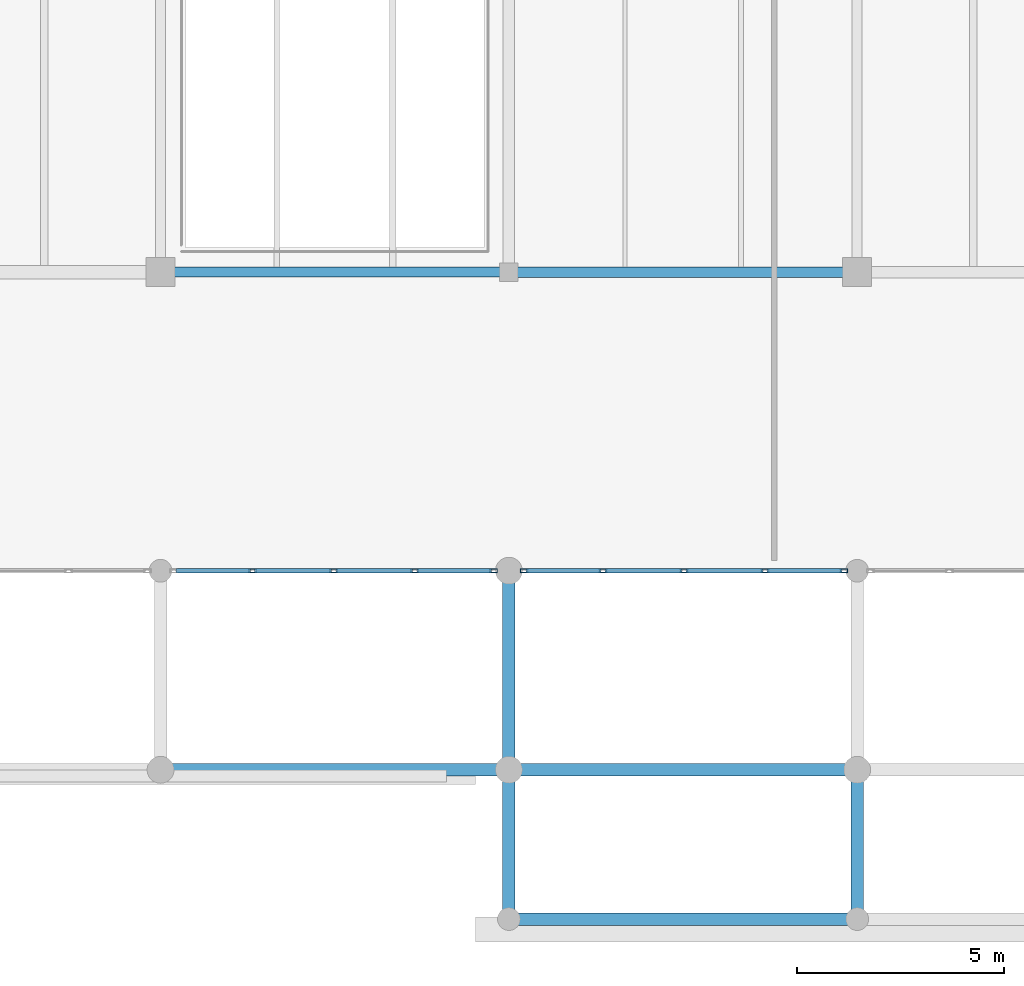
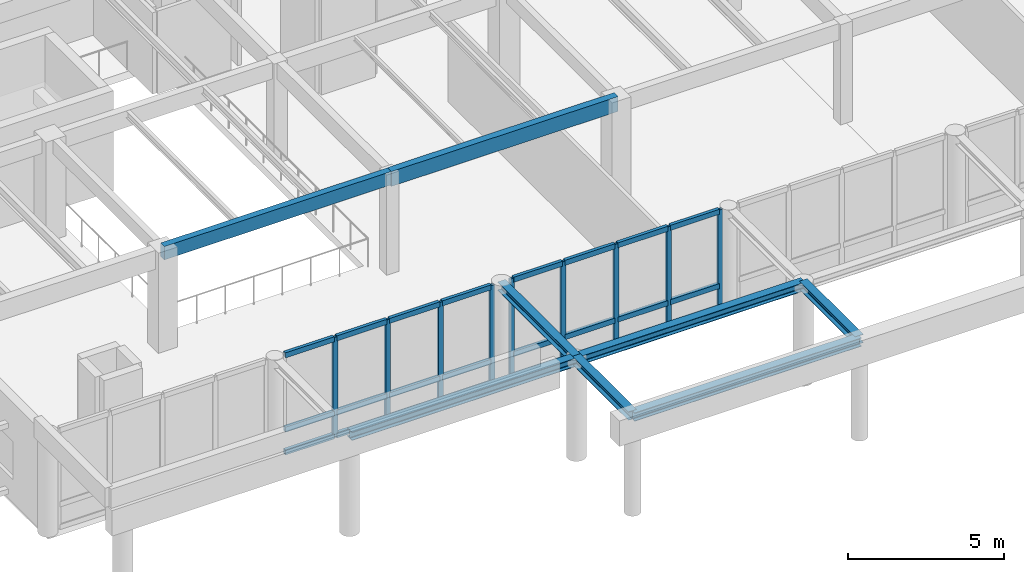
# One storey, part 43 of 170: 33 members, 8 beams, 2 elements without a shape of their own.
"""IFC4 building model written with IfcOpenShell, lengths in metres."""

from ifc_helpers import new_model, si_unit, direction, frame, origin, origin_2d, place, context, subcontext, project, spatial, rectangle, hollow_rectangle, i_section, extrude, material, layer, layer_set, material_profile, profile_set, type_object, element, aggregate, save


model = new_model("IFC4")

# Units and contexts
model_context = context("Model", 3, precision=1e-05, world=origin(), true_north=direction((0.0, 1.0)))
body_context = subcontext(model_context, "Body", "Model", "MODEL_VIEW")
ifc_project = project(units=[si_unit("LENGTHUNIT", "METRE"), si_unit("AREAUNIT", "SQUARE_METRE"), si_unit("VOLUMEUNIT", "CUBIC_METRE"), si_unit("PLANEANGLEUNIT", "RADIAN"), si_unit("MASSUNIT", "GRAM", prefix="KILO")], contexts=[model_context])

# Site, building, storey
site_placement = place(None, origin())
site = spatial("IfcSite", under=ifc_project, at=site_placement, CompositionType="ELEMENT")
building_placement = place(site_placement, origin())
building = spatial("IfcBuilding", under=site, at=building_placement, Name="Mazaris Harbour Polytechnic", CompositionType="ELEMENT")
storey_placement = place(building_placement, frame((0.0, 0.0, 5.39990234375)))
storey = spatial("IfcBuildingStorey", under=building, at=storey_placement, Name="L01", CompositionType="ELEMENT", Elevation=5.39990234375)

# Curtain wall, members
ifc_material_1 = material(Name="Anodised Bronze Aluminium and Low-E Glass", Category="aluminium")
ifc_layer = layer(ifc_material_1, 0.179931640625, Name="Anodised Bronze Aluminium and Low-E Glass")
ifc_layer_set = layer_set([ifc_layer], Name="Anodised Bronze Aluminium and Low-E Glass")
curtain_wall_type = type_object("IfcCurtainWallType", Name="Harbour Colonnade Curtain Wall", PredefinedType="NOTDEFINED", material=ifc_layer_set)
curtain_wall_1_placement = place(storey_placement, origin())
curtain_wall_1 = element("IfcCurtainWall", 1, at=curtain_wall_1_placement, inside=storey, type_object=curtain_wall_type, Name="V3 L01 Curtain Wall 69", PredefinedType="NOTDEFINED")
ifc_material_2 = material(Name="Anodised Bronze Steel S355", Category="steel")
ifc_material_profile_1 = material_profile(ifc_material_2, hollow_rectangle(XDim=0.10009765625, YDim=0.179931640625, WallThickness=0.008056640625, at=origin_2d()), Name="RHS 100x180x8.0")
ifc_profile_set_1 = profile_set([ifc_material_profile_1], Name="Anodised Bronze Steel S355")
member_type_1 = type_object("IfcMemberType", Name="Curtain Mullion RHS100x180", PredefinedType="MULLION", material=ifc_profile_set_1)
member_1_placement = place(storey_placement, frame((70.43310546875, 7.199951171875, 0.0), z_axis=(0.0, 0.0, 1.0), x_axis=(0.0, -1.0, 0.0)))
member_1 = element("IfcMember", 2, at=member_1_placement, type_object=member_type_1, Name="CW-01 mullion 1", PredefinedType="MULLION", context=body_context, shape_type="SweptSolid", body=[
    extrude(hollow_rectangle(XDim=0.10009765625, YDim=0.179931640625, WallThickness=0.008056640625, at=origin_2d()), origin(), (0.0, 0.0, 1.0), 3.920166015625),
])
member_2_placement = place(storey_placement, frame((68.529052734375, 7.199951171875, 0.0), z_axis=(0.0, 0.0, 1.0), x_axis=(0.0, -1.0, 0.0)))
member_2 = element("IfcMember", 3, at=member_2_placement, type_object=member_type_1, Name="CW-01 mullion 2", PredefinedType="MULLION", context=body_context, shape_type="SweptSolid", body=[
    extrude(hollow_rectangle(XDim=0.10009765625, YDim=0.179931640625, WallThickness=0.008056640625, at=origin_2d()), origin(), (0.0, 0.0, 1.0), 3.920166015625),
])
member_3_placement = place(storey_placement, frame((66.574951171875, 7.199951171875, 0.0), z_axis=(0.0, 0.0, 1.0), x_axis=(0.0, -1.0, 0.0)))
member_3 = element("IfcMember", 4, at=member_3_placement, type_object=member_type_1, Name="CW-01 mullion 3", PredefinedType="MULLION", context=body_context, shape_type="SweptSolid", body=[
    extrude(hollow_rectangle(XDim=0.10009765625, YDim=0.179931640625, WallThickness=0.008056640625, at=origin_2d()), origin(), (0.0, 0.0, 1.0), 3.920166015625),
])
member_4_placement = place(storey_placement, frame((64.62109375, 7.199951171875, 0.0), z_axis=(0.0, 0.0, 1.0), x_axis=(0.0, -1.0, 0.0)))
member_4 = element("IfcMember", 5, at=member_4_placement, type_object=member_type_1, Name="CW-01 mullion 4", PredefinedType="MULLION", context=body_context, shape_type="SweptSolid", body=[
    extrude(hollow_rectangle(XDim=0.10009765625, YDim=0.179931640625, WallThickness=0.008056640625, at=origin_2d()), origin(), (0.0, 0.0, 1.0), 3.920166015625),
])

curtain_wall_2_placement = place(storey_placement, origin())
curtain_wall_2 = element("IfcCurtainWall", 6, at=curtain_wall_2_placement, inside=storey, type_object=curtain_wall_type, Name="V3 L01 Curtain Wall 70", PredefinedType="NOTDEFINED")
member_5_placement = place(storey_placement, frame((78.883056640625, 7.199951171875, 0.0), z_axis=(0.0, 0.0, 1.0), x_axis=(0.0, -1.0, 0.0)))
member_5 = element("IfcMember", 7, at=member_5_placement, type_object=member_type_1, Name="CW-01 mullion 1", PredefinedType="MULLION", context=body_context, shape_type="SweptSolid", body=[
    extrude(hollow_rectangle(XDim=0.10009765625, YDim=0.179931640625, WallThickness=0.008056640625, at=origin_2d()), origin(), (0.0, 0.0, 1.0), 3.920166015625),
])
member_6_placement = place(storey_placement, frame((76.97900390625, 7.199951171875, 0.0), z_axis=(0.0, 0.0, 1.0), x_axis=(0.0, -1.0, 0.0)))
member_6 = element("IfcMember", 8, at=member_6_placement, type_object=member_type_1, Name="CW-01 mullion 2", PredefinedType="MULLION", context=body_context, shape_type="SweptSolid", body=[
    extrude(hollow_rectangle(XDim=0.10009765625, YDim=0.179931640625, WallThickness=0.008056640625, at=origin_2d()), origin(), (0.0, 0.0, 1.0), 3.920166015625),
])
member_7_placement = place(storey_placement, frame((75.02490234375, 7.199951171875, 0.0), z_axis=(0.0, 0.0, 1.0), x_axis=(0.0, -1.0, 0.0)))
member_7 = element("IfcMember", 9, at=member_7_placement, type_object=member_type_1, Name="CW-01 mullion 3", PredefinedType="MULLION", context=body_context, shape_type="SweptSolid", body=[
    extrude(hollow_rectangle(XDim=0.10009765625, YDim=0.179931640625, WallThickness=0.008056640625, at=origin_2d()), origin(), (0.0, 0.0, 1.0), 3.920166015625),
])
member_8_placement = place(storey_placement, frame((73.071044921875, 7.199951171875, 0.0), z_axis=(0.0, 0.0, 1.0), x_axis=(0.0, -1.0, 0.0)))
member_8 = element("IfcMember", 10, at=member_8_placement, type_object=member_type_1, Name="CW-01 mullion 4", PredefinedType="MULLION", context=body_context, shape_type="SweptSolid", body=[
    extrude(hollow_rectangle(XDim=0.10009765625, YDim=0.179931640625, WallThickness=0.008056640625, at=origin_2d()), origin(), (0.0, 0.0, 1.0), 3.920166015625),
])
member_9_placement = place(storey_placement, frame((71.1669921875, 7.199951171875, 0.0), z_axis=(0.0, 0.0, 1.0), x_axis=(0.0, -1.0, 0.0)))
member_9 = element("IfcMember", 11, at=member_9_placement, type_object=member_type_1, Name="CW-01 mullion 5", PredefinedType="MULLION", context=body_context, shape_type="SweptSolid", body=[
    extrude(hollow_rectangle(XDim=0.10009765625, YDim=0.179931640625, WallThickness=0.008056640625, at=origin_2d()), origin(), (0.0, 0.0, 1.0), 3.920166015625),
])

# Member
ifc_material_3 = material(Name="Anodised Bronze Steel S355", Category="steel")
ifc_material_profile_2 = material_profile(ifc_material_3, hollow_rectangle(XDim=0.1201171875, YDim=0.199951171875, WallThickness=0.008056640625, at=origin_2d()), Name="RHS 120x200x8.0")
ifc_profile_set_2 = profile_set([ifc_material_profile_2], Name="Anodised Bronze Steel S355")
member_type_2 = type_object("IfcMemberType", Name="Curtain Transom RHS120x200", PredefinedType="USERDEFINED", material=ifc_profile_set_2)
member_10_placement = place(storey_placement, frame((70.383056640625, 7.199951171875, 0.06005859375), z_axis=(-1.0, 0.0, 0.0), x_axis=(0.0, -1.0, 0.0)))
member_10 = element("IfcMember", 12, at=member_10_placement, type_object=member_type_2, Name="CW-01 transom 1.1", ObjectType="TRANSOM", PredefinedType="USERDEFINED", context=body_context, shape_type="SweptSolid", body=[
    extrude(hollow_rectangle(XDim=0.1201171875, YDim=0.199951171875, WallThickness=0.008056640625, at=origin_2d()), origin(), (0.0, 0.0, 1.0), 1.803955078125),
])

member_11_placement = place(storey_placement, frame((70.383056640625, 7.199951171875, 0.9501953125), z_axis=(-1.0, 0.0, 0.0), x_axis=(0.0, -1.0, 0.0)))
member_11 = element("IfcMember", 13, at=member_11_placement, type_object=member_type_2, Name="CW-01 transom 1.2", ObjectType="TRANSOM", PredefinedType="USERDEFINED", context=body_context, shape_type="SweptSolid", body=[
    extrude(hollow_rectangle(XDim=0.1201171875, YDim=0.199951171875, WallThickness=0.008056640625, at=origin_2d()), origin(), (0.0, 0.0, 1.0), 1.803955078125),
])

member_12_placement = place(storey_placement, frame((70.383056640625, 7.199951171875, 3.860107421875), z_axis=(-1.0, 0.0, 0.0), x_axis=(0.0, -1.0, 0.0)))
member_12 = element("IfcMember", 14, at=member_12_placement, type_object=member_type_2, Name="CW-01 transom 1.3", ObjectType="TRANSOM", PredefinedType="USERDEFINED", context=body_context, shape_type="SweptSolid", body=[
    extrude(hollow_rectangle(XDim=0.1201171875, YDim=0.199951171875, WallThickness=0.008056640625, at=origin_2d()), origin(), (0.0, 0.0, 1.0), 1.803955078125),
])

member_13_placement = place(storey_placement, frame((68.47900390625, 7.199951171875, 0.06005859375), z_axis=(-1.0, 0.0, 0.0), x_axis=(0.0, -1.0, 0.0)))
member_13 = element("IfcMember", 15, at=member_13_placement, type_object=member_type_2, Name="CW-01 transom 2.1", ObjectType="TRANSOM", PredefinedType="USERDEFINED", context=body_context, shape_type="SweptSolid", body=[
    extrude(hollow_rectangle(XDim=0.1201171875, YDim=0.199951171875, WallThickness=0.008056640625, at=origin_2d()), origin(), (0.0, 0.0, 1.0), 1.85400390625),
])

member_14_placement = place(storey_placement, frame((68.47900390625, 7.199951171875, 0.9501953125), z_axis=(-1.0, 0.0, 0.0), x_axis=(0.0, -1.0, 0.0)))
member_14 = element("IfcMember", 16, at=member_14_placement, type_object=member_type_2, Name="CW-01 transom 2.2", ObjectType="TRANSOM", PredefinedType="USERDEFINED", context=body_context, shape_type="SweptSolid", body=[
    extrude(hollow_rectangle(XDim=0.1201171875, YDim=0.199951171875, WallThickness=0.008056640625, at=origin_2d()), origin(), (0.0, 0.0, 1.0), 1.85400390625),
])

member_15_placement = place(storey_placement, frame((68.47900390625, 7.199951171875, 3.860107421875), z_axis=(-1.0, 0.0, 0.0), x_axis=(0.0, -1.0, 0.0)))
member_15 = element("IfcMember", 17, at=member_15_placement, type_object=member_type_2, Name="CW-01 transom 2.3", ObjectType="TRANSOM", PredefinedType="USERDEFINED", context=body_context, shape_type="SweptSolid", body=[
    extrude(hollow_rectangle(XDim=0.1201171875, YDim=0.199951171875, WallThickness=0.008056640625, at=origin_2d()), origin(), (0.0, 0.0, 1.0), 1.85400390625),
])

member_16_placement = place(storey_placement, frame((66.52490234375, 7.199951171875, 0.06005859375), z_axis=(-1.0, 0.0, 0.0), x_axis=(0.0, -1.0, 0.0)))
member_16 = element("IfcMember", 18, at=member_16_placement, type_object=member_type_2, Name="CW-01 transom 3.1", ObjectType="TRANSOM", PredefinedType="USERDEFINED", context=body_context, shape_type="SweptSolid", body=[
    extrude(hollow_rectangle(XDim=0.1201171875, YDim=0.199951171875, WallThickness=0.008056640625, at=origin_2d()), origin(), (0.0, 0.0, 1.0), 1.85400390625),
])

member_17_placement = place(storey_placement, frame((66.52490234375, 7.199951171875, 0.9501953125), z_axis=(-1.0, 0.0, 0.0), x_axis=(0.0, -1.0, 0.0)))
member_17 = element("IfcMember", 19, at=member_17_placement, type_object=member_type_2, Name="CW-01 transom 3.2", ObjectType="TRANSOM", PredefinedType="USERDEFINED", context=body_context, shape_type="SweptSolid", body=[
    extrude(hollow_rectangle(XDim=0.1201171875, YDim=0.199951171875, WallThickness=0.008056640625, at=origin_2d()), origin(), (0.0, 0.0, 1.0), 1.85400390625),
])

member_18_placement = place(storey_placement, frame((66.52490234375, 7.199951171875, 3.860107421875), z_axis=(-1.0, 0.0, 0.0), x_axis=(0.0, -1.0, 0.0)))
member_18 = element("IfcMember", 20, at=member_18_placement, type_object=member_type_2, Name="CW-01 transom 3.3", ObjectType="TRANSOM", PredefinedType="USERDEFINED", context=body_context, shape_type="SweptSolid", body=[
    extrude(hollow_rectangle(XDim=0.1201171875, YDim=0.199951171875, WallThickness=0.008056640625, at=origin_2d()), origin(), (0.0, 0.0, 1.0), 1.85400390625),
])

member_19_placement = place(storey_placement, frame((64.571044921875, 7.199951171875, 0.06005859375), z_axis=(-1.0, 0.0, 0.0), x_axis=(0.0, -1.0, 0.0)))
member_19 = element("IfcMember", 21, at=member_19_placement, type_object=member_type_2, Name="CW-01 transom 4.1", ObjectType="TRANSOM", PredefinedType="USERDEFINED", context=body_context, shape_type="SweptSolid", body=[
    extrude(hollow_rectangle(XDim=0.1201171875, YDim=0.199951171875, WallThickness=0.008056640625, at=origin_2d()), origin(), (0.0, 0.0, 1.0), 1.803955078125),
])

member_20_placement = place(storey_placement, frame((64.571044921875, 7.199951171875, 0.9501953125), z_axis=(-1.0, 0.0, 0.0), x_axis=(0.0, -1.0, 0.0)))
member_20 = element("IfcMember", 22, at=member_20_placement, type_object=member_type_2, Name="CW-01 transom 4.2", ObjectType="TRANSOM", PredefinedType="USERDEFINED", context=body_context, shape_type="SweptSolid", body=[
    extrude(hollow_rectangle(XDim=0.1201171875, YDim=0.199951171875, WallThickness=0.008056640625, at=origin_2d()), origin(), (0.0, 0.0, 1.0), 1.803955078125),
])

member_21_placement = place(storey_placement, frame((64.571044921875, 7.199951171875, 3.860107421875), z_axis=(-1.0, 0.0, 0.0), x_axis=(0.0, -1.0, 0.0)))
member_21 = element("IfcMember", 23, at=member_21_placement, type_object=member_type_2, Name="CW-01 transom 4.3", ObjectType="TRANSOM", PredefinedType="USERDEFINED", context=body_context, shape_type="SweptSolid", body=[
    extrude(hollow_rectangle(XDim=0.1201171875, YDim=0.199951171875, WallThickness=0.008056640625, at=origin_2d()), origin(), (0.0, 0.0, 1.0), 1.803955078125),
])

aggregate(curtain_wall_1, [member_1, member_2, member_3, member_4, member_10, member_11, member_12, member_13, member_14, member_15, member_16, member_17, member_18, member_19, member_20, member_21])

member_22_placement = place(storey_placement, frame((78.8330078125, 7.199951171875, 0.06005859375), z_axis=(-1.0, 0.0, 0.0), x_axis=(0.0, -1.0, 0.0)))
member_22 = element("IfcMember", 24, at=member_22_placement, type_object=member_type_2, Name="CW-01 transom 1.1", ObjectType="TRANSOM", PredefinedType="USERDEFINED", context=body_context, shape_type="SweptSolid", body=[
    extrude(hollow_rectangle(XDim=0.1201171875, YDim=0.199951171875, WallThickness=0.008056640625, at=origin_2d()), origin(), (0.0, 0.0, 1.0), 1.803955078125),
])

member_23_placement = place(storey_placement, frame((78.8330078125, 7.199951171875, 0.9501953125), z_axis=(-1.0, 0.0, 0.0), x_axis=(0.0, -1.0, 0.0)))
member_23 = element("IfcMember", 25, at=member_23_placement, type_object=member_type_2, Name="CW-01 transom 1.2", ObjectType="TRANSOM", PredefinedType="USERDEFINED", context=body_context, shape_type="SweptSolid", body=[
    extrude(hollow_rectangle(XDim=0.1201171875, YDim=0.199951171875, WallThickness=0.008056640625, at=origin_2d()), origin(), (0.0, 0.0, 1.0), 1.803955078125),
])

member_24_placement = place(storey_placement, frame((78.8330078125, 7.199951171875, 3.860107421875), z_axis=(-1.0, 0.0, 0.0), x_axis=(0.0, -1.0, 0.0)))
member_24 = element("IfcMember", 26, at=member_24_placement, type_object=member_type_2, Name="CW-01 transom 1.3", ObjectType="TRANSOM", PredefinedType="USERDEFINED", context=body_context, shape_type="SweptSolid", body=[
    extrude(hollow_rectangle(XDim=0.1201171875, YDim=0.199951171875, WallThickness=0.008056640625, at=origin_2d()), origin(), (0.0, 0.0, 1.0), 1.803955078125),
])

member_25_placement = place(storey_placement, frame((76.928955078125, 7.199951171875, 0.06005859375), z_axis=(-1.0, 0.0, 0.0), x_axis=(0.0, -1.0, 0.0)))
member_25 = element("IfcMember", 27, at=member_25_placement, type_object=member_type_2, Name="CW-01 transom 2.1", ObjectType="TRANSOM", PredefinedType="USERDEFINED", context=body_context, shape_type="SweptSolid", body=[
    extrude(hollow_rectangle(XDim=0.1201171875, YDim=0.199951171875, WallThickness=0.008056640625, at=origin_2d()), origin(), (0.0, 0.0, 1.0), 1.85400390625),
])

member_26_placement = place(storey_placement, frame((76.928955078125, 7.199951171875, 0.9501953125), z_axis=(-1.0, 0.0, 0.0), x_axis=(0.0, -1.0, 0.0)))
member_26 = element("IfcMember", 28, at=member_26_placement, type_object=member_type_2, Name="CW-01 transom 2.2", ObjectType="TRANSOM", PredefinedType="USERDEFINED", context=body_context, shape_type="SweptSolid", body=[
    extrude(hollow_rectangle(XDim=0.1201171875, YDim=0.199951171875, WallThickness=0.008056640625, at=origin_2d()), origin(), (0.0, 0.0, 1.0), 1.85400390625),
])

member_27_placement = place(storey_placement, frame((76.928955078125, 7.199951171875, 3.860107421875), z_axis=(-1.0, 0.0, 0.0), x_axis=(0.0, -1.0, 0.0)))
member_27 = element("IfcMember", 29, at=member_27_placement, type_object=member_type_2, Name="CW-01 transom 2.3", ObjectType="TRANSOM", PredefinedType="USERDEFINED", context=body_context, shape_type="SweptSolid", body=[
    extrude(hollow_rectangle(XDim=0.1201171875, YDim=0.199951171875, WallThickness=0.008056640625, at=origin_2d()), origin(), (0.0, 0.0, 1.0), 1.85400390625),
])

member_28_placement = place(storey_placement, frame((74.97509765625, 7.199951171875, 0.06005859375), z_axis=(-1.0, 0.0, 0.0), x_axis=(0.0, -1.0, 0.0)))
member_28 = element("IfcMember", 30, at=member_28_placement, type_object=member_type_2, Name="CW-01 transom 3.1", ObjectType="TRANSOM", PredefinedType="USERDEFINED", context=body_context, shape_type="SweptSolid", body=[
    extrude(hollow_rectangle(XDim=0.1201171875, YDim=0.199951171875, WallThickness=0.008056640625, at=origin_2d()), origin(), (0.0, 0.0, 1.0), 1.85400390625),
])

member_29_placement = place(storey_placement, frame((74.97509765625, 7.199951171875, 0.9501953125), z_axis=(-1.0, 0.0, 0.0), x_axis=(0.0, -1.0, 0.0)))
member_29 = element("IfcMember", 31, at=member_29_placement, type_object=member_type_2, Name="CW-01 transom 3.2", ObjectType="TRANSOM", PredefinedType="USERDEFINED", context=body_context, shape_type="SweptSolid", body=[
    extrude(hollow_rectangle(XDim=0.1201171875, YDim=0.199951171875, WallThickness=0.008056640625, at=origin_2d()), origin(), (0.0, 0.0, 1.0), 1.85400390625),
])

member_30_placement = place(storey_placement, frame((74.97509765625, 7.199951171875, 3.860107421875), z_axis=(-1.0, 0.0, 0.0), x_axis=(0.0, -1.0, 0.0)))
member_30 = element("IfcMember", 32, at=member_30_placement, type_object=member_type_2, Name="CW-01 transom 3.3", ObjectType="TRANSOM", PredefinedType="USERDEFINED", context=body_context, shape_type="SweptSolid", body=[
    extrude(hollow_rectangle(XDim=0.1201171875, YDim=0.199951171875, WallThickness=0.008056640625, at=origin_2d()), origin(), (0.0, 0.0, 1.0), 1.85400390625),
])

member_31_placement = place(storey_placement, frame((73.02099609375, 7.199951171875, 0.06005859375), z_axis=(-1.0, 0.0, 0.0), x_axis=(0.0, -1.0, 0.0)))
member_31 = element("IfcMember", 33, at=member_31_placement, type_object=member_type_2, Name="CW-01 transom 4.1", ObjectType="TRANSOM", PredefinedType="USERDEFINED", context=body_context, shape_type="SweptSolid", body=[
    extrude(hollow_rectangle(XDim=0.1201171875, YDim=0.199951171875, WallThickness=0.008056640625, at=origin_2d()), origin(), (0.0, 0.0, 1.0), 1.803955078125),
])

member_32_placement = place(storey_placement, frame((73.02099609375, 7.199951171875, 0.9501953125), z_axis=(-1.0, 0.0, 0.0), x_axis=(0.0, -1.0, 0.0)))
member_32 = element("IfcMember", 34, at=member_32_placement, type_object=member_type_2, Name="CW-01 transom 4.2", ObjectType="TRANSOM", PredefinedType="USERDEFINED", context=body_context, shape_type="SweptSolid", body=[
    extrude(hollow_rectangle(XDim=0.1201171875, YDim=0.199951171875, WallThickness=0.008056640625, at=origin_2d()), origin(), (0.0, 0.0, 1.0), 1.803955078125),
])

member_33_placement = place(storey_placement, frame((73.02099609375, 7.199951171875, 3.860107421875), z_axis=(-1.0, 0.0, 0.0), x_axis=(0.0, -1.0, 0.0)))
member_33 = element("IfcMember", 35, at=member_33_placement, type_object=member_type_2, Name="CW-01 transom 4.3", ObjectType="TRANSOM", PredefinedType="USERDEFINED", context=body_context, shape_type="SweptSolid", body=[
    extrude(hollow_rectangle(XDim=0.1201171875, YDim=0.199951171875, WallThickness=0.008056640625, at=origin_2d()), origin(), (0.0, 0.0, 1.0), 1.803955078125),
])

aggregate(curtain_wall_2, [member_5, member_6, member_7, member_8, member_9, member_22, member_23, member_24, member_25, member_26, member_27, member_28, member_29, member_30, member_31, member_32, member_33])

# Beams
ifc_material_4 = material(Name="Glulam GL32h", Category="wood")
ifc_material_profile_3 = material_profile(ifc_material_4, rectangle(XDim=0.239990234375, YDim=0.52001953125, at=origin_2d()), Name="RECT240x520")
ifc_profile_set_3 = profile_set([ifc_material_profile_3], Name="Glulam GL32h")
beam_type_1 = type_object("IfcBeamType", Name="Glulam Girder 240x520 Exterior", PredefinedType="BEAM", material=ifc_profile_set_3)
beam_1_placement = place(storey_placement, frame((62.39990234375, 14.39990234375, 3.66015625), z_axis=(1.0, 0.0, 0.0), x_axis=(0.0, 1.0, 0.0)))
element("IfcBeam", 36, at=beam_1_placement, inside=storey, type_object=beam_type_1, Name="V3 L01 Girder 970", PredefinedType="BEAM", context=body_context, shape_type="SweptSolid", body=[
    extrude(rectangle(XDim=0.239990234375, YDim=0.52001953125, at=origin_2d()), origin(), (0.0, 0.0, 1.0), 8.400146484375),
])
ifc_material_5 = material(Name="Glulam GL32h", Category="wood")
ifc_material_profile_4 = material_profile(ifc_material_5, rectangle(XDim=0.260009765625, YDim=0.580078125, at=origin_2d()), Name="RECT260x580")
ifc_profile_set_4 = profile_set([ifc_material_profile_4], Name="Glulam GL32h")
beam_type_2 = type_object("IfcBeamType", Name="Glulam Girder 260x580 Exterior", PredefinedType="BEAM", material=ifc_profile_set_4)
beam_2_placement = place(storey_placement, frame((70.800048828125, 14.39990234375, 3.630126953125), z_axis=(1.0, 0.0, 0.0), x_axis=(0.0, 1.0, 0.0)))
element("IfcBeam", 37, at=beam_2_placement, inside=storey, type_object=beam_type_2, Name="V3 L01 Girder 971", PredefinedType="BEAM", context=body_context, shape_type="SweptSolid", body=[
    extrude(rectangle(XDim=0.260009765625, YDim=0.580078125, at=origin_2d()), origin(), (0.0, 0.0, 1.0), 8.39990234375),
])
ifc_material_6 = material(Name="Steel S355", Category="steel")
ifc_material_profile_5 = material_profile(ifc_material_6, i_section(OverallWidth=0.300048828125, OverallDepth=0.330078125, WebThickness=0.009521484375, FlangeThickness=0.0166015625, FilletRadius=0.027099609375, at=origin_2d()), Name="HEA 340")
ifc_profile_set_5 = profile_set([ifc_material_profile_5], Name="Steel S355")
beam_type_3 = type_object("IfcBeamType", Name="Steel Beam HEA340 Exterior", PredefinedType="BEAM", material=ifc_profile_set_5)
beam_3_placement = place(storey_placement, frame((70.800048828125, 2.39990234375, 3.780029296875), z_axis=(0.0, 1.0, 0.0), x_axis=(-1.0, 0.0, 0.0)))
element("IfcBeam", 38, at=beam_3_placement, inside=storey, type_object=beam_type_3, Name="Colonnade Cross Beam 3483", PredefinedType="BEAM", context=body_context, shape_type="SweptSolid", body=[
    extrude(i_section(OverallWidth=0.300048828125, OverallDepth=0.330078125, WebThickness=0.009521484375, FlangeThickness=0.0166015625, FilletRadius=0.027099609375, at=origin_2d()), origin(), (0.0, 0.0, 1.0), 4.800048828125),
])
beam_4_placement = place(storey_placement, frame((62.39990234375, 2.39990234375, 3.780029296875), z_axis=(1.0, 0.0, 0.0), x_axis=(0.0, 1.0, 0.0)))
element("IfcBeam", 39, at=beam_4_placement, inside=storey, type_object=beam_type_3, Name="Colonnade Entablature Architrave 3490", PredefinedType="BEAM", context=body_context, shape_type="SweptSolid", body=[
    extrude(i_section(OverallWidth=0.300048828125, OverallDepth=0.330078125, WebThickness=0.009521484375, FlangeThickness=0.0166015625, FilletRadius=0.027099609375, at=origin_2d()), origin(), (0.0, 0.0, 1.0), 8.400146484375),
])
beam_5_placement = place(storey_placement, frame((70.800048828125, 2.39990234375, 3.780029296875), z_axis=(1.0, 0.0, 0.0), x_axis=(0.0, 1.0, 0.0)))
element("IfcBeam", 40, at=beam_5_placement, inside=storey, type_object=beam_type_3, Name="Colonnade Entablature Architrave 3491", PredefinedType="BEAM", context=body_context, shape_type="SweptSolid", body=[
    extrude(i_section(OverallWidth=0.300048828125, OverallDepth=0.330078125, WebThickness=0.009521484375, FlangeThickness=0.0166015625, FilletRadius=0.027099609375, at=origin_2d()), origin(), (0.0, 0.0, 1.0), 8.39990234375),
])
for number, where, z_axis, x_axis, name in (
    (41, (70.800048828125, -1.199951171875, 3.780029296875), (0.0, 1.0, 0.0), (-1.0, 0.0, 0.0), "Portico Tie Beam 3496"),
    (42, (79.199951171875, -1.199951171875, 3.780029296875), (0.0, 1.0, 0.0), (-1.0, 0.0, 0.0), "Portico Tie Beam 3497"),
):
    element("IfcBeam", number, at=place(storey_placement, frame(where, z_axis=z_axis, x_axis=x_axis)), inside=storey, type_object=beam_type_3, Name=name, PredefinedType="BEAM", context=body_context, shape_type="SweptSolid", body=[
        extrude(i_section(OverallWidth=0.300048828125, OverallDepth=0.330078125, WebThickness=0.009521484375, FlangeThickness=0.0166015625, FilletRadius=0.027099609375, at=origin_2d()), origin(), (0.0, 0.0, 1.0), 3.599853515625),
    ])
beam_6_placement = place(storey_placement, frame((70.800048828125, -1.199951171875, 3.780029296875), z_axis=(1.0, 0.0, 0.0), x_axis=(0.0, 1.0, 0.0)))
element("IfcBeam", 43, at=beam_6_placement, inside=storey, type_object=beam_type_3, Name="Portico Architrave Beam 3500", PredefinedType="BEAM", context=body_context, shape_type="SweptSolid", body=[
    extrude(i_section(OverallWidth=0.300048828125, OverallDepth=0.330078125, WebThickness=0.009521484375, FlangeThickness=0.0166015625, FilletRadius=0.027099609375, at=origin_2d()), origin(), (0.0, 0.0, 1.0), 8.39990234375),
])

save(model, "model.ifc")
